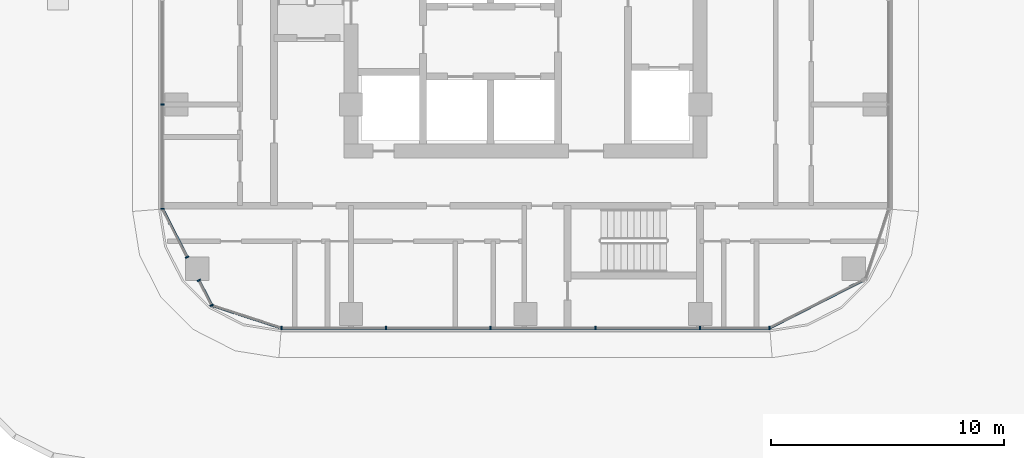
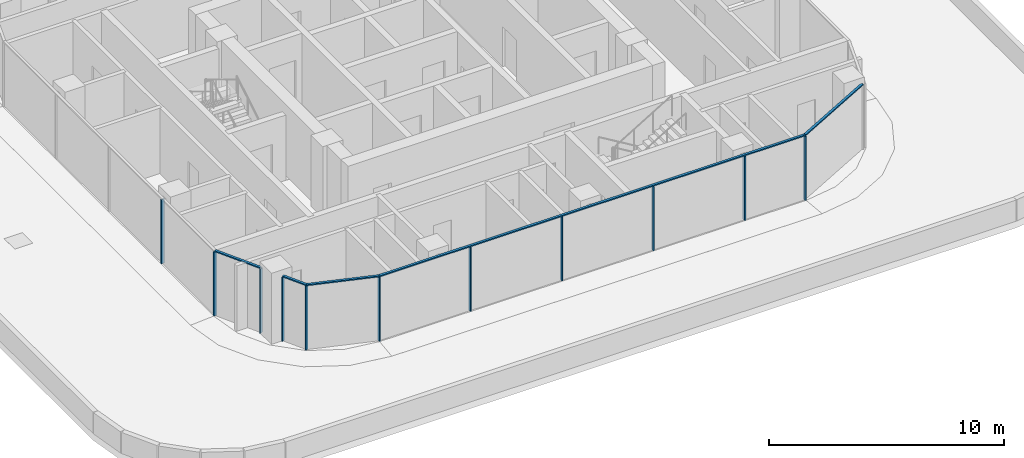
# One storey, part 7 of 51: 16 members, 5 elements without a shape of their own.
"""IFC4 building model written with IfcOpenShell, lengths in metres."""

from ifc_helpers import new_model, si_unit, direction, frame, origin, origin_2d, place, context, subcontext, project, spatial, rectangle, extrude, material, material_profile, profile_set, type_object, element, aggregate, save


model = new_model("IFC4")

# Units and contexts
model_context = context("Model", 3, precision=1e-05, world=origin(), true_north=direction((0.0, 1.0)))
body_context = subcontext(model_context, "Body", "Model", "MODEL_VIEW")
ifc_project = project(units=[si_unit("LENGTHUNIT", "METRE"), si_unit("AREAUNIT", "SQUARE_METRE"), si_unit("VOLUMEUNIT", "CUBIC_METRE"), si_unit("PLANEANGLEUNIT", "RADIAN"), si_unit("MASSUNIT", "GRAM", prefix="KILO")], contexts=[model_context])

# Site, building, storey
site_placement = place(None, origin())
site = spatial("IfcSite", under=ifc_project, at=site_placement, CompositionType="ELEMENT")
building_placement = place(site_placement, origin())
building = spatial("IfcBuilding", under=site, at=building_placement, Name="Ogive Portal Towers", CompositionType="ELEMENT")
storey_placement = place(building_placement, frame((0.0, 0.0, 33.5)))
storey = spatial("IfcBuildingStorey", under=building, at=storey_placement, Name="L06", CompositionType="ELEMENT", Elevation=33.5)

# Curtain wall, members
ifc_material_1 = material(Name="Glass, clear low-iron insulated glazing", Category="glass")
curtain_wall_type = type_object("IfcCurtainWallType", Name="CW RESIDENCES RIBBON", PredefinedType="NOTDEFINED", material=ifc_material_1)
curtain_wall_1_placement = place(storey_placement, origin())
curtain_wall_1 = element("IfcCurtainWall", 1, at=curtain_wall_1_placement, inside=storey, type_object=curtain_wall_type, Name="B:L06:f02:cw0", PredefinedType="NOTDEFINED")
ifc_material_2 = material(Name="Aluminium 6063 anodised", Category="aluminium")
ifc_material_profile_1 = material_profile(ifc_material_2, rectangle(XDim=0.159912109375, YDim=0.06005859375, at=origin_2d()), Name="AL 60x160")
ifc_profile_set_1 = profile_set([ifc_material_profile_1], Name="Aluminium 6063 anodised")
member_type_1 = type_object("IfcMemberType", Name="CW MULLION 60x160", PredefinedType="MULLION", material=ifc_profile_set_1)
member_1_placement = place(storey_placement, frame((126.0126953125, 16.89990234375, 0.0), z_axis=(0.0, 0.0, 1.0), x_axis=(0.0, 1.0, 0.0)))
member_1 = element("IfcMember", 2, at=member_1_placement, type_object=member_type_1, Name="mullion", PredefinedType="MULLION", context=body_context, shape_type="SweptSolid", body=[
    extrude(rectangle(XDim=0.159912109375, YDim=0.06005859375, at=origin_2d()), origin(), (0.0, 0.0, 1.0), 3.340087890625),
])
member_2_placement = place(storey_placement, frame((130.5, 16.89990234375, 0.0), z_axis=(0.0, 0.0, 1.0), x_axis=(0.0, 1.0, 0.0)))
member_2 = element("IfcMember", 3, at=member_2_placement, type_object=member_type_1, Name="mullion", PredefinedType="MULLION", context=body_context, shape_type="SweptSolid", body=[
    extrude(rectangle(XDim=0.159912109375, YDim=0.06005859375, at=origin_2d()), origin(), (0.0, 0.0, 1.0), 3.340087890625),
])
member_3_placement = place(storey_placement, frame((135.0, 16.89990234375, 0.0), z_axis=(0.0, 0.0, 1.0), x_axis=(0.0, 1.0, 0.0)))
member_3 = element("IfcMember", 4, at=member_3_placement, type_object=member_type_1, Name="mullion", PredefinedType="MULLION", context=body_context, shape_type="SweptSolid", body=[
    extrude(rectangle(XDim=0.159912109375, YDim=0.06005859375, at=origin_2d()), origin(), (0.0, 0.0, 1.0), 3.340087890625),
])
member_4_placement = place(storey_placement, frame((139.5, 16.89990234375, 0.0), z_axis=(0.0, 0.0, 1.0), x_axis=(0.0, 1.0, 0.0)))
member_4 = element("IfcMember", 5, at=member_4_placement, type_object=member_type_1, Name="mullion", PredefinedType="MULLION", context=body_context, shape_type="SweptSolid", body=[
    extrude(rectangle(XDim=0.159912109375, YDim=0.06005859375, at=origin_2d()), origin(), (0.0, 0.0, 1.0), 3.340087890625),
])
member_5_placement = place(storey_placement, frame((144.0, 16.89990234375, 0.0), z_axis=(0.0, 0.0, 1.0), x_axis=(0.0, 1.0, 0.0)))
member_5 = element("IfcMember", 6, at=member_5_placement, type_object=member_type_1, Name="mullion", PredefinedType="MULLION", context=body_context, shape_type="SweptSolid", body=[
    extrude(rectangle(XDim=0.159912109375, YDim=0.06005859375, at=origin_2d()), origin(), (0.0, 0.0, 1.0), 3.340087890625),
])
member_6_placement = place(storey_placement, frame((146.980712890625, 16.89990234375, 0.0), z_axis=(0.0, 0.0, 1.0), x_axis=(0.0, 1.0, 0.0)))
member_6 = element("IfcMember", 7, at=member_6_placement, type_object=member_type_1, Name="mullion", PredefinedType="MULLION", context=body_context, shape_type="SweptSolid", body=[
    extrude(rectangle(XDim=0.159912109375, YDim=0.06005859375, at=origin_2d()), origin(), (0.0, 0.0, 1.0), 3.340087890625),
])

curtain_wall_2_placement = place(storey_placement, origin())
curtain_wall_2 = element("IfcCurtainWall", 8, at=curtain_wall_2_placement, inside=storey, type_object=curtain_wall_type, Name="B:L06:f11:cw0", PredefinedType="NOTDEFINED")
member_7_placement = place(storey_placement, frame((120.89990234375, 26.5, 0.0), z_axis=(0.0, 0.0, 1.0), x_axis=(1.0, 0.0, 0.0)))
member_7 = element("IfcMember", 9, at=member_7_placement, type_object=member_type_1, Name="mullion", PredefinedType="MULLION", context=body_context, shape_type="SweptSolid", body=[
    extrude(rectangle(XDim=0.159912109375, YDim=0.06005859375, at=origin_2d()), origin(), (0.0, 0.0, 1.0), 3.340087890625),
])
member_8_placement = place(storey_placement, frame((120.89990234375, 22.019287109375, 0.0), z_axis=(0.0, 0.0, 1.0), x_axis=(1.0, 0.0, 0.0)))
member_8 = element("IfcMember", 10, at=member_8_placement, type_object=member_type_1, Name="mullion", PredefinedType="MULLION", context=body_context, shape_type="SweptSolid", body=[
    extrude(rectangle(XDim=0.159912109375, YDim=0.06005859375, at=origin_2d()), origin(), (0.0, 0.0, 1.0), 3.340087890625),
])
aggregate(curtain_wall_2, [member_7, member_8])

# Curtain wall, member
curtain_wall_3_placement = place(storey_placement, origin())
curtain_wall_3 = element("IfcCurtainWall", 11, at=curtain_wall_3_placement, inside=storey, type_object=curtain_wall_type, Name="B:L06:f00:cwa~0", PredefinedType="NOTDEFINED")
member_9_placement = place(storey_placement, frame((121.95849609375, 19.94189453125, 0.0), z_axis=(0.0, 0.0, 1.0), x_axis=(0.891006524188, 0.45399049974, 0.0)))
member_9 = element("IfcMember", 12, at=member_9_placement, type_object=member_type_1, Name="mullion", PredefinedType="MULLION", context=body_context, shape_type="SweptSolid", body=[
    extrude(rectangle(XDim=0.159912109375, YDim=0.06005859375, at=origin_2d()), origin(), (0.0, 0.0, 1.0), 3.340087890625),
])

# Curtain wall, members
curtain_wall_4_placement = place(storey_placement, origin())
curtain_wall_4 = element("IfcCurtainWall", 13, at=curtain_wall_4_placement, inside=storey, type_object=curtain_wall_type, Name="B:L06:f00:cwa~1", PredefinedType="NOTDEFINED")
member_10_placement = place(storey_placement, frame((122.468017578125, 18.94189453125, 0.0), z_axis=(0.0, 0.0, 1.0), x_axis=(0.891006524188, 0.45399049974, 0.0)))
member_10 = element("IfcMember", 14, at=member_10_placement, type_object=member_type_1, Name="mullion", PredefinedType="MULLION", context=body_context, shape_type="SweptSolid", body=[
    extrude(rectangle(XDim=0.159912109375, YDim=0.06005859375, at=origin_2d()), origin(), (0.0, 0.0, 1.0), 3.340087890625),
])
member_11_placement = place(storey_placement, frame((123.011474609375, 17.875244140625, 0.0), z_axis=(0.0, 0.0, 1.0), x_axis=(0.891006524188, 0.45399049974, 0.0)))
member_11 = element("IfcMember", 15, at=member_11_placement, type_object=member_type_1, Name="mullion", PredefinedType="MULLION", context=body_context, shape_type="SweptSolid", body=[
    extrude(rectangle(XDim=0.159912109375, YDim=0.06005859375, at=origin_2d()), origin(), (0.0, 0.0, 1.0), 3.340087890625),
])

# Member
ifc_material_profile_2 = material_profile(ifc_material_2, rectangle(XDim=0.1201171875, YDim=0.06005859375, at=origin_2d()), Name="AL 120x60")
ifc_profile_set_2 = profile_set([ifc_material_profile_2], Name="Aluminium 6063 anodised")
member_type_2 = type_object("IfcMemberType", Name="CW TRANSOM 60x120", PredefinedType="USERDEFINED", material=ifc_profile_set_2)
member_12_placement = place(storey_placement, frame((126.0126953125, 16.89990234375, 3.3701171875), z_axis=(1.0, 0.0, 0.0), x_axis=(0.0, 1.0, 0.0)))
member_12 = element("IfcMember", 16, at=member_12_placement, type_object=member_type_2, Name="transom", ObjectType="TRANSOM", PredefinedType="USERDEFINED", context=body_context, shape_type="SweptSolid", body=[
    extrude(rectangle(XDim=0.1201171875, YDim=0.06005859375, at=origin_2d()), origin(), (0.0, 0.0, 1.0), 20.968017578125),
])

aggregate(curtain_wall_1, [member_12, member_1, member_2, member_3, member_4, member_5, member_6])

member_13_placement = place(storey_placement, frame((120.89990234375, 22.019287109375, 3.3701171875), z_axis=(0.454027737199, -0.890987549775, 0.0), x_axis=(0.890987549775, 0.454027737199, 0.0)))
member_13 = element("IfcMember", 17, at=member_13_placement, type_object=member_type_2, Name="transom", ObjectType="TRANSOM", PredefinedType="USERDEFINED", context=body_context, shape_type="SweptSolid", body=[
    extrude(rectangle(XDim=0.1201171875, YDim=0.06005859375, at=origin_2d()), origin(), (0.0, 0.0, 1.0), 2.33154296875),
])

aggregate(curtain_wall_3, [member_13, member_9])

member_14_placement = place(storey_placement, frame((122.468017578125, 18.94189453125, 3.3701171875), z_axis=(0.453971606911, -0.891016150313, 0.0), x_axis=(0.891016150313, 0.453971606911, 0.0)))
member_14 = element("IfcMember", 18, at=member_14_placement, type_object=member_type_2, Name="transom", ObjectType="TRANSOM", PredefinedType="USERDEFINED", context=body_context, shape_type="SweptSolid", body=[
    extrude(rectangle(XDim=0.1201171875, YDim=0.06005859375, at=origin_2d()), origin(), (0.0, 0.0, 1.0), 1.197021484375),
])

member_15_placement = place(storey_placement, frame((123.011474609375, 17.875244140625, 3.3701171875), z_axis=(0.951039185402, -0.309070328291, 0.0), x_axis=(0.309070328291, 0.951039185402, 0.0)))
member_15 = element("IfcMember", 19, at=member_15_placement, type_object=member_type_2, Name="transom", ObjectType="TRANSOM", PredefinedType="USERDEFINED", context=body_context, shape_type="SweptSolid", body=[
    extrude(rectangle(XDim=0.1201171875, YDim=0.06005859375, at=origin_2d()), origin(), (0.0, 0.0, 1.0), 3.15576171875),
])

aggregate(curtain_wall_4, [member_14, member_15, member_10, member_11])

# Curtain wall, member
curtain_wall_5_placement = place(storey_placement, origin())
curtain_wall_5 = element("IfcCurtainWall", 20, at=curtain_wall_5_placement, inside=storey, type_object=curtain_wall_type, Name="B:L06:f03:cwa~0", PredefinedType="NOTDEFINED")
member_16_placement = place(storey_placement, frame((146.980712890625, 16.89990234375, 3.3701171875), z_axis=(0.89101464276, 0.453974565792, 0.0), x_axis=(-0.453974565792, 0.89101464276, 0.0)))
member_16 = element("IfcMember", 21, at=member_16_placement, type_object=member_type_2, Name="transom", ObjectType="TRANSOM", PredefinedType="USERDEFINED", context=body_context, shape_type="SweptSolid", body=[
    extrude(rectangle(XDim=0.1201171875, YDim=0.06005859375, at=origin_2d()), origin(), (0.0, 0.0, 1.0), 4.498046875),
])
aggregate(curtain_wall_5, [member_16])

save(model, "model.ifc")
